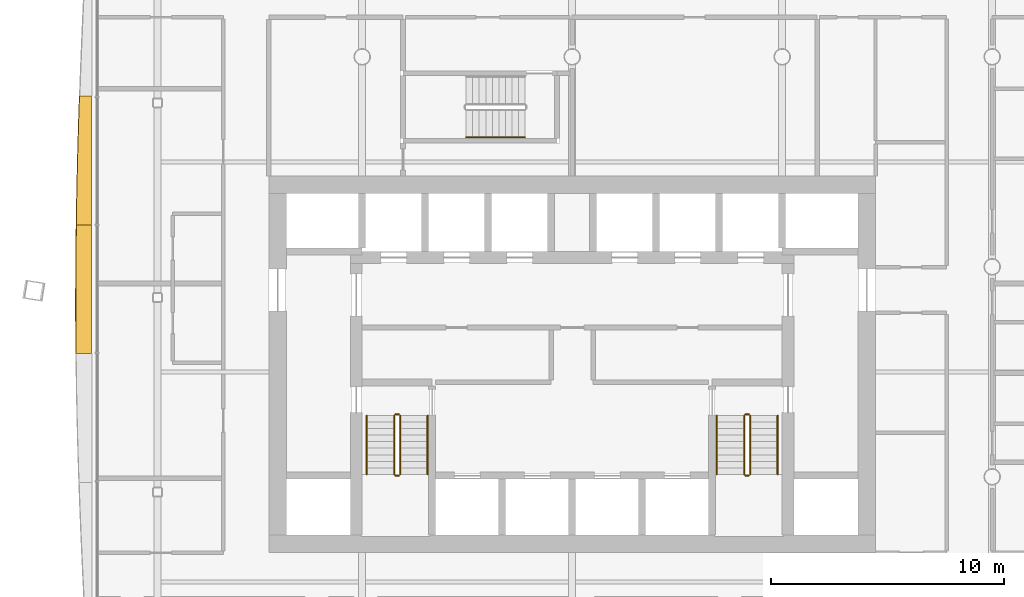
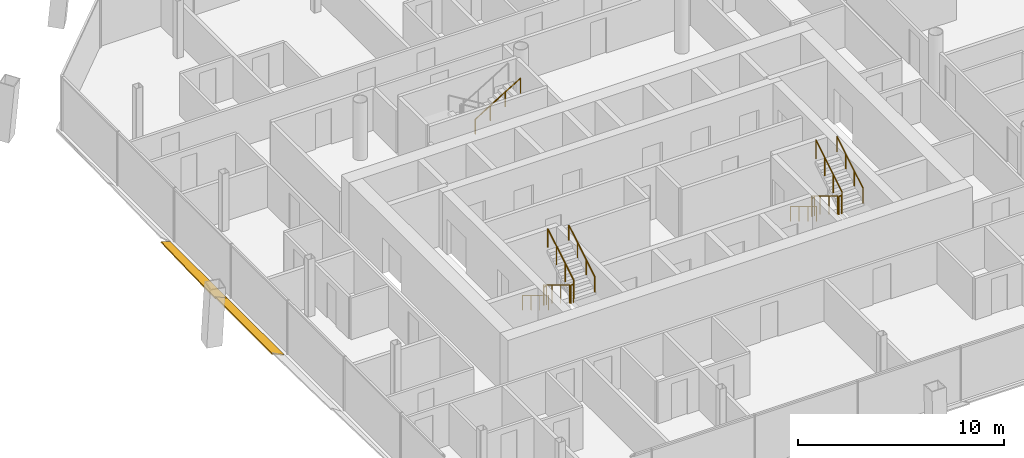
# One storey, part 18 of 21: 13 railings, 2 shading devices.
"""IFC4 building model written with IfcOpenShell, lengths in metres."""

from ifc_helpers import new_model, si_unit, direction, frame, origin, origin_2d, place, context, subcontext, project, spatial, polyline, circle, outline, extrude, material, layer, layer_set, type_object, element, save


model = new_model("IFC4")

# Units and contexts
model_context = context("Model", 3, precision=1e-05, world=origin(), true_north=direction((0.0, 1.0)))
body_context = subcontext(model_context, "Body", "Model", "MODEL_VIEW")
ifc_project = project(units=[si_unit("LENGTHUNIT", "METRE"), si_unit("AREAUNIT", "SQUARE_METRE"), si_unit("VOLUMEUNIT", "CUBIC_METRE"), si_unit("PLANEANGLEUNIT", "RADIAN"), si_unit("MASSUNIT", "GRAM", prefix="KILO")], contexts=[model_context])

# Site, building, storey
site_placement = place(None, origin())
site = spatial("IfcSite", under=ifc_project, at=site_placement, CompositionType="ELEMENT")
building_placement = place(site_placement, origin())
building = spatial("IfcBuilding", under=site, at=building_placement, Name="Tskaro Facet Tower", CompositionType="ELEMENT")
storey_placement = place(building_placement, frame((0.0, 0.0, 128.300048828125)))
storey = spatial("IfcBuildingStorey", under=building, at=storey_placement, Name="L30", CompositionType="ELEMENT", Elevation=128.300048828125)

# Shading devices
ifc_material_1 = material(Name="Bronze anodised aluminium 6063-T6", Category="aluminium")
ifc_layer = layer(ifc_material_1, 0.06005859375, Name="Bronze anodised aluminium 6063-T6")
ifc_layer_set = layer_set([ifc_layer], Name="Bronze anodised aluminium 6063-T6")
shading_device_type = type_object("IfcShadingDeviceType", Name="Bronze sun blade (FN1)", PredefinedType="USERDEFINED", material=ifc_layer_set)
shading_device_1_placement = place(storey_placement, frame((-20.596435546875, 7.32080078125, 0.056396484375), z_axis=(0.341941292947, 1.18777e-06, 0.93972131623), x_axis=(4.06148e-07, -0.999999999999, 1.116173e-06)))
element("IfcShadingDevice", 1, at=shading_device_1_placement, inside=storey, type_object=shading_device_type, Name="Fin blade west 3", ObjectType="FIN", PredefinedType="USERDEFINED", context=body_context, shape_type="SweptSolid", body=[
    extrude(outline(polyline([(0.0, 0.0), (5.518310546871107, 0.0), (5.518310546794855, -0.6998807844269213), (4.828369140647363, -0.6882209895251834), (4.138671875001461, -0.6747047802942332), (3.4489746093313065, -0.6591027325846004), (2.759277343810246, -0.6417277523067285), (2.0693359375407763, -0.6224963576996445), (1.379638671872054, -0.6011791246138778), (0.6899414062532679, -0.5783183831093427), (-1.1392706266802058e-10, -0.5536012272755952), (0.0, 0.0)])), origin(), (0.0, 0.0, -1.0), 0.06005859375),
])
shading_device_2_placement = place(storey_placement, frame((-20.591552734375, 1.802490234375, 0.054443359375), z_axis=(0.422462087861, 7.31361e-07, 0.906380595732), x_axis=(3.08972e-07, -1.0, 6.62891e-07)))
element("IfcShadingDevice", 2, at=shading_device_2_placement, inside=storey, type_object=shading_device_type, Name="Fin blade west 4", ObjectType="FIN", PredefinedType="USERDEFINED", context=body_context, shape_type="SweptSolid", body=[
    extrude(outline(polyline([(0.0, 0.0), (5.518066406248524, -2.921240032019302e-22), (5.518066406307821, -0.7418489944971702), (4.828369140652847, -0.7482943600401505), (4.1384277343180065, -0.7520111815409851), (3.4543457030901363, -0.7531025991578434), (3.4487304687151377, -0.7531025991578434), (2.7590332030683755, -0.7520111815409851), (2.0693359375395586, -0.7488400688485797), (1.3793945312554423, -0.7431616964391583), (0.6896972656388386, -0.7356249132793198), (5.377422576150042e-11, -0.7256840105606348), (0.0, 0.0)])), origin(), (0.0, 0.0, -1.0), 0.06005859375),
])

# Railings
ifc_material_2 = material(Name="Stainless steel", Category="steel")
railing_type_1 = type_object("IfcRailingType", Name="RL-GUARD-1100", PredefinedType="GUARDRAIL", material=ifc_material_2)
railing_1_placement = place(storey_placement, frame((-7.625, -6.375, 0.169921875)))
element("IfcRailing", 3, at=railing_1_placement, inside=storey, type_object=railing_type_1, Name="L30 ST-1 stair guard 1", PredefinedType="GUARDRAIL", context=body_context, shape_type="SweptSolid", body=[
    extrude(circle(Radius=0.02392578125, at=origin_2d()), frame((0.0, 0.0, 1.076171875), z_axis=(0.0, -0.85478489116, 0.518982456201), x_axis=(1.0, 0.0, 0.0)), (0.0, 0.0, 1.0), 2.9482421875),
    extrude(circle(Radius=0.02099609375, at=origin_2d()), origin(), (0.0, 0.0, 1.0), 1.052001953125),
    extrude(circle(Radius=0.02099609375, at=origin_2d()), frame((0.0, -0.840087890625, 0.510009765625)), (0.0, 0.0, 1.0), 1.052001953125),
    extrude(circle(Radius=0.02099609375, at=origin_2d()), frame((0.0, -1.679931640625, 1.02001953125)), (0.0, 0.0, 1.0), 1.052001953125),
    extrude(circle(Radius=0.02099609375, at=origin_2d()), frame((0.0, -2.52001953125, 1.530029296875)), (0.0, 0.0, 1.0), 1.052001953125),
])
railing_2_placement = place(storey_placement, frame((-7.574951171875, -8.945068359375, 1.699951171875)))
element("IfcRailing", 4, at=railing_2_placement, inside=storey, type_object=railing_type_1, Name="L30 ST-1 stair guard 2", PredefinedType="GUARDRAIL", context=body_context, shape_type="SweptSolid", body=[
    extrude(circle(Radius=0.02392578125, at=origin_2d()), frame((0.0, 0.0, 1.076171875), z_axis=(1.0, 0.0, 0.0), x_axis=(0.0, 1.0, 0.0)), (0.0, 0.0, 1.0), 0.14990234375),
    extrude(circle(Radius=0.02099609375, at=origin_2d()), origin(), (0.0, 0.0, 1.0), 1.052001953125),
    extrude(circle(Radius=0.02099609375, at=origin_2d()), frame((0.14990234375, 0.0, 0.0)), (0.0, 0.0, 1.0), 1.052001953125),
])
railing_3_placement = place(storey_placement, frame((-7.375, -8.89501953125, 1.869873046875)))
element("IfcRailing", 5, at=railing_3_placement, inside=storey, type_object=railing_type_1, Name="L30 ST-1 stair guard 3", PredefinedType="GUARDRAIL", context=body_context, shape_type="SweptSolid", body=[
    extrude(circle(Radius=0.02392578125, at=origin_2d()), frame((0.0, 0.0, 1.076171875), z_axis=(0.0, 0.85478489116, 0.518982456201), x_axis=(-1.0, 0.0, 0.0)), (0.0, 0.0, 1.0), 2.9482421875),
    extrude(circle(Radius=0.02099609375, at=origin_2d()), origin(), (0.0, 0.0, 1.0), 1.052001953125),
    extrude(circle(Radius=0.02099609375, at=origin_2d()), frame((0.0, 0.840087890625, 0.510009765625)), (0.0, 0.0, 1.0), 1.052001953125),
    extrude(circle(Radius=0.02099609375, at=origin_2d()), frame((0.0, 1.679931640625, 1.02001953125)), (0.0, 0.0, 1.0), 1.052001953125),
    extrude(circle(Radius=0.02099609375, at=origin_2d()), frame((0.0, 2.52001953125, 1.530029296875)), (0.0, 0.0, 1.0), 1.052001953125),
])
railing_4_placement = place(storey_placement, frame((-7.574951171875, -6.324951171875, 0.0)))
element("IfcRailing", 6, at=railing_4_placement, inside=storey, type_object=railing_type_1, Name="L30 ST-1 stair guard 4", PredefinedType="GUARDRAIL", context=body_context, shape_type="SweptSolid", body=[
    extrude(circle(Radius=0.02392578125, at=origin_2d()), frame((0.0, 0.0, 1.076171875), z_axis=(1.0, 0.0, 0.0), x_axis=(0.0, 1.0, 0.0)), (0.0, 0.0, 1.0), 0.14990234375),
    extrude(circle(Radius=0.02099609375, at=origin_2d()), origin(), (0.0, 0.0, 1.0), 1.052001953125),
    extrude(circle(Radius=0.02099609375, at=origin_2d()), frame((0.14990234375, 0.0, 0.0)), (0.0, 0.0, 1.0), 1.052001953125),
])
railing_5_placement = place(storey_placement, frame((7.375, -6.375, 0.169921875)))
element("IfcRailing", 7, at=railing_5_placement, inside=storey, type_object=railing_type_1, Name="L30 ST-2 stair guard 1", PredefinedType="GUARDRAIL", context=body_context, shape_type="SweptSolid", body=[
    extrude(circle(Radius=0.02392578125, at=origin_2d()), frame((0.0, 0.0, 1.076171875), z_axis=(0.0, -0.85478489116, 0.518982456201), x_axis=(1.0, 0.0, 0.0)), (0.0, 0.0, 1.0), 2.9482421875),
    extrude(circle(Radius=0.02099609375, at=origin_2d()), origin(), (0.0, 0.0, 1.0), 1.052001953125),
    extrude(circle(Radius=0.02099609375, at=origin_2d()), frame((0.0, -0.840087890625, 0.510009765625)), (0.0, 0.0, 1.0), 1.052001953125),
    extrude(circle(Radius=0.02099609375, at=origin_2d()), frame((0.0, -1.679931640625, 1.02001953125)), (0.0, 0.0, 1.0), 1.052001953125),
    extrude(circle(Radius=0.02099609375, at=origin_2d()), frame((0.0, -2.52001953125, 1.530029296875)), (0.0, 0.0, 1.0), 1.052001953125),
])
railing_6_placement = place(storey_placement, frame((7.425048828125, -8.945068359375, 1.699951171875)))
element("IfcRailing", 8, at=railing_6_placement, inside=storey, type_object=railing_type_1, Name="L30 ST-2 stair guard 2", PredefinedType="GUARDRAIL", context=body_context, shape_type="SweptSolid", body=[
    extrude(circle(Radius=0.02392578125, at=origin_2d()), frame((0.0, 0.0, 1.076171875), z_axis=(1.0, 0.0, 0.0), x_axis=(0.0, 1.0, 0.0)), (0.0, 0.0, 1.0), 0.14990234375),
    extrude(circle(Radius=0.02099609375, at=origin_2d()), origin(), (0.0, 0.0, 1.0), 1.052001953125),
    extrude(circle(Radius=0.02099609375, at=origin_2d()), frame((0.14990234375, 0.0, 0.0)), (0.0, 0.0, 1.0), 1.052001953125),
])
railing_7_placement = place(storey_placement, frame((7.625, -8.89501953125, 1.869873046875)))
element("IfcRailing", 9, at=railing_7_placement, inside=storey, type_object=railing_type_1, Name="L30 ST-2 stair guard 3", PredefinedType="GUARDRAIL", context=body_context, shape_type="SweptSolid", body=[
    extrude(circle(Radius=0.02392578125, at=origin_2d()), frame((0.0, 0.0, 1.076171875), z_axis=(0.0, 0.85478489116, 0.518982456201), x_axis=(-1.0, 0.0, 0.0)), (0.0, 0.0, 1.0), 2.9482421875),
    extrude(circle(Radius=0.02099609375, at=origin_2d()), origin(), (0.0, 0.0, 1.0), 1.052001953125),
    extrude(circle(Radius=0.02099609375, at=origin_2d()), frame((0.0, 0.840087890625, 0.510009765625)), (0.0, 0.0, 1.0), 1.052001953125),
    extrude(circle(Radius=0.02099609375, at=origin_2d()), frame((0.0, 1.679931640625, 1.02001953125)), (0.0, 0.0, 1.0), 1.052001953125),
    extrude(circle(Radius=0.02099609375, at=origin_2d()), frame((0.0, 2.52001953125, 1.530029296875)), (0.0, 0.0, 1.0), 1.052001953125),
])
railing_8_placement = place(storey_placement, frame((7.425048828125, -6.324951171875, 0.0)))
element("IfcRailing", 10, at=railing_8_placement, inside=storey, type_object=railing_type_1, Name="L30 ST-2 stair guard 4", PredefinedType="GUARDRAIL", context=body_context, shape_type="SweptSolid", body=[
    extrude(circle(Radius=0.02392578125, at=origin_2d()), frame((0.0, 0.0, 1.076171875), z_axis=(1.0, 0.0, 0.0), x_axis=(0.0, 1.0, 0.0)), (0.0, 0.0, 1.0), 0.14990234375),
    extrude(circle(Radius=0.02099609375, at=origin_2d()), origin(), (0.0, 0.0, 1.0), 1.052001953125),
    extrude(circle(Radius=0.02099609375, at=origin_2d()), frame((0.14990234375, 0.0, 0.0)), (0.0, 0.0, 1.0), 1.052001953125),
])
railing_type_2 = type_object("IfcRailingType", Name="RL-HANDRAIL-900", PredefinedType="HANDRAIL", material=ifc_material_2)
railing_9_placement = place(storey_placement, frame((-8.800048828125, -6.375, 0.169921875)))
element("IfcRailing", 11, at=railing_9_placement, inside=storey, type_object=railing_type_2, Name="L30 ST-1 stair handrail 1", PredefinedType="HANDRAIL", context=body_context, shape_type="SweptSolid", body=[
    extrude(circle(Radius=0.02392578125, at=origin_2d()), frame((0.0, 0.0, 0.8759765625), z_axis=(0.0, -0.85478489116, 0.518982456201), x_axis=(1.0, 0.0, 0.0)), (0.0, 0.0, 1.0), 2.9482421875),
    extrude(circle(Radius=0.02099609375, at=origin_2d()), origin(), (0.0, 0.0, 1.0), 0.851806640625),
    extrude(circle(Radius=0.02099609375, at=origin_2d()), frame((0.0, -0.840087890625, 0.510009765625)), (0.0, 0.0, 1.0), 0.851806640625),
    extrude(circle(Radius=0.02099609375, at=origin_2d()), frame((0.0, -1.679931640625, 1.02001953125)), (0.0, 0.0, 1.0), 0.851806640625),
    extrude(circle(Radius=0.02099609375, at=origin_2d()), frame((0.0, -2.52001953125, 1.530029296875)), (0.0, 0.0, 1.0), 0.851806640625),
])
railing_10_placement = place(storey_placement, frame((-6.199951171875, -8.89501953125, 1.869873046875)))
element("IfcRailing", 12, at=railing_10_placement, inside=storey, type_object=railing_type_2, Name="L30 ST-1 stair handrail 2", PredefinedType="HANDRAIL", context=body_context, shape_type="SweptSolid", body=[
    extrude(circle(Radius=0.02392578125, at=origin_2d()), frame((0.0, 0.0, 0.8759765625), z_axis=(0.0, 0.85478489116, 0.518982456201), x_axis=(-1.0, 0.0, 0.0)), (0.0, 0.0, 1.0), 2.9482421875),
    extrude(circle(Radius=0.02099609375, at=origin_2d()), origin(), (0.0, 0.0, 1.0), 0.851806640625),
    extrude(circle(Radius=0.02099609375, at=origin_2d()), frame((0.0, 0.840087890625, 0.510009765625)), (0.0, 0.0, 1.0), 0.851806640625),
    extrude(circle(Radius=0.02099609375, at=origin_2d()), frame((0.0, 1.679931640625, 1.02001953125)), (0.0, 0.0, 1.0), 0.851806640625),
    extrude(circle(Radius=0.02099609375, at=origin_2d()), frame((0.0, 2.52001953125, 1.530029296875)), (0.0, 0.0, 1.0), 0.851806640625),
])
railing_11_placement = place(storey_placement, frame((6.199951171875, -6.375, 0.169921875)))
element("IfcRailing", 13, at=railing_11_placement, inside=storey, type_object=railing_type_2, Name="L30 ST-2 stair handrail 1", PredefinedType="HANDRAIL", context=body_context, shape_type="SweptSolid", body=[
    extrude(circle(Radius=0.02392578125, at=origin_2d()), frame((0.0, 0.0, 0.8759765625), z_axis=(0.0, -0.85478489116, 0.518982456201), x_axis=(1.0, 0.0, 0.0)), (0.0, 0.0, 1.0), 2.9482421875),
    extrude(circle(Radius=0.02099609375, at=origin_2d()), origin(), (0.0, 0.0, 1.0), 0.851806640625),
    extrude(circle(Radius=0.02099609375, at=origin_2d()), frame((0.0, -0.840087890625, 0.510009765625)), (0.0, 0.0, 1.0), 0.851806640625),
    extrude(circle(Radius=0.02099609375, at=origin_2d()), frame((0.0, -1.679931640625, 1.02001953125)), (0.0, 0.0, 1.0), 0.851806640625),
    extrude(circle(Radius=0.02099609375, at=origin_2d()), frame((0.0, -2.52001953125, 1.530029296875)), (0.0, 0.0, 1.0), 0.851806640625),
])
railing_12_placement = place(storey_placement, frame((8.800048828125, -8.89501953125, 1.869873046875)))
element("IfcRailing", 14, at=railing_12_placement, inside=storey, type_object=railing_type_2, Name="L30 ST-2 stair handrail 2", PredefinedType="HANDRAIL", context=body_context, shape_type="SweptSolid", body=[
    extrude(circle(Radius=0.02392578125, at=origin_2d()), frame((0.0, 0.0, 0.8759765625), z_axis=(0.0, 0.85478489116, 0.518982456201), x_axis=(-1.0, 0.0, 0.0)), (0.0, 0.0, 1.0), 2.9482421875),
    extrude(circle(Radius=0.02099609375, at=origin_2d()), origin(), (0.0, 0.0, 1.0), 0.851806640625),
    extrude(circle(Radius=0.02099609375, at=origin_2d()), frame((0.0, 0.840087890625, 0.510009765625)), (0.0, 0.0, 1.0), 0.851806640625),
    extrude(circle(Radius=0.02099609375, at=origin_2d()), frame((0.0, 1.679931640625, 1.02001953125)), (0.0, 0.0, 1.0), 0.851806640625),
    extrude(circle(Radius=0.02099609375, at=origin_2d()), frame((0.0, 2.52001953125, 1.530029296875)), (0.0, 0.0, 1.0), 0.851806640625),
])
railing_13_placement = place(storey_placement, frame((-4.544921875, 5.550048828125, 1.869873046875)))
element("IfcRailing", 15, at=railing_13_placement, inside=storey, type_object=railing_type_2, Name="L30 ST-3 stair handrail 2", PredefinedType="HANDRAIL", context=body_context, shape_type="SweptSolid", body=[
    extrude(circle(Radius=0.02392578125, at=origin_2d()), frame((0.0, 0.0, 0.8759765625), z_axis=(0.85478489116, 0.0, 0.518982456201), x_axis=(0.0, 1.0, 0.0)), (0.0, 0.0, 1.0), 2.9482421875),
    extrude(circle(Radius=0.02099609375, at=origin_2d()), origin(), (0.0, 0.0, 1.0), 0.851806640625),
    extrude(circle(Radius=0.02099609375, at=origin_2d()), frame((0.840087890625, 0.0, 0.510009765625)), (0.0, 0.0, 1.0), 0.851806640625),
    extrude(circle(Radius=0.02099609375, at=origin_2d()), frame((1.679931640625, 0.0, 1.02001953125)), (0.0, 0.0, 1.0), 0.851806640625),
    extrude(circle(Radius=0.02099609375, at=origin_2d()), frame((2.52001953125, 0.0, 1.530029296875)), (0.0, 0.0, 1.0), 0.851806640625),
])

save(model, "model.ifc")
